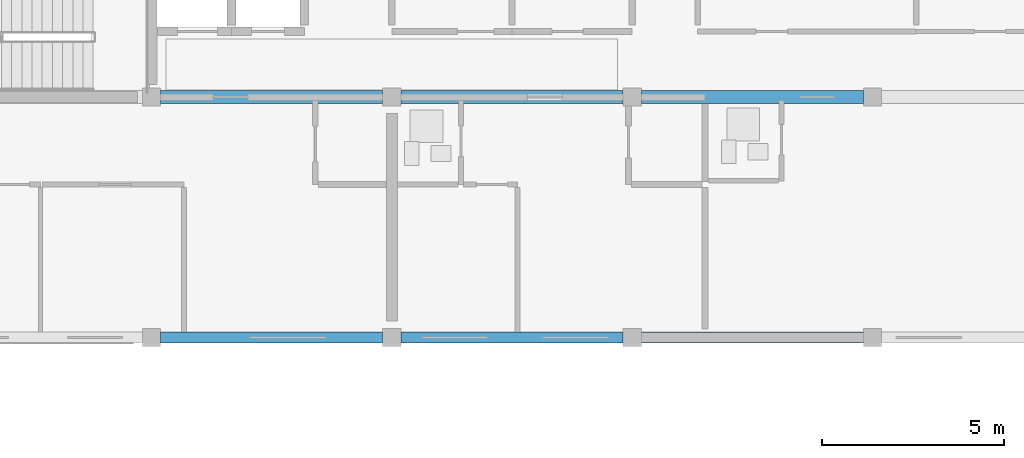
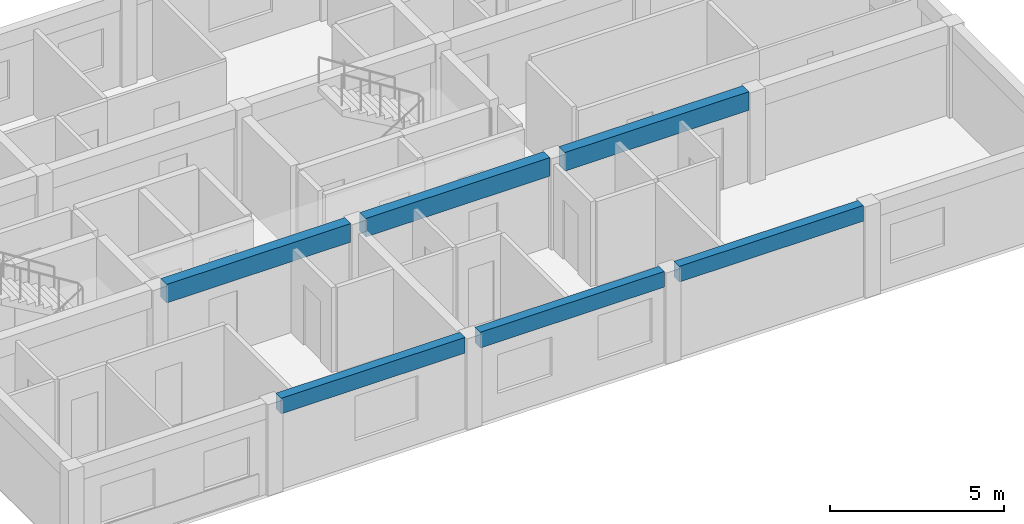
# One storey, part 18 of 46: 6 beams.
"""IFC4 building model written with IfcOpenShell, lengths in metres."""

from ifc_helpers import new_model, si_unit, direction, frame, origin, origin_2d, place, context, subcontext, project, spatial, rectangle, extrude, material, material_profile, profile_set, type_object, element, save


model = new_model("IFC4")

# Units and contexts
model_context = context("Model", 3, precision=1e-05, world=origin(), true_north=direction((0.0, 1.0)))
body_context = subcontext(model_context, "Body", "Model", "MODEL_VIEW")
ifc_project = project(units=[si_unit("LENGTHUNIT", "METRE"), si_unit("AREAUNIT", "SQUARE_METRE"), si_unit("VOLUMEUNIT", "CUBIC_METRE"), si_unit("PLANEANGLEUNIT", "RADIAN"), si_unit("MASSUNIT", "GRAM", prefix="KILO")], contexts=[model_context])

# Site, building, storey
site_placement = place(None, origin())
site = spatial("IfcSite", under=ifc_project, at=site_placement, CompositionType="ELEMENT")
building_placement = place(site_placement, origin())
building = spatial("IfcBuilding", under=site, at=building_placement, Name="Kernevlak Ridge Housing Community", CompositionType="ELEMENT")
storey_placement = place(building_placement, frame((0.0, 0.0, 27.60009765625)))
storey = spatial("IfcBuildingStorey", under=building, at=storey_placement, Name="L08", CompositionType="ELEMENT", Elevation=27.60009765625)

# Beams
ifc_material = material(Name="Concrete C35/45", Category="concrete")
ifc_material_profile_1 = material_profile(ifc_material, rectangle(XDim=0.35009765625, YDim=0.64990234375, at=origin_2d()), Name="RC 350x650")
ifc_profile_set_1 = profile_set([ifc_material_profile_1], Name="Concrete C35/45")
beam_type_1 = type_object("IfcBeamType", Name="B-02", PredefinedType="BEAM", material=ifc_profile_set_1)
beam_1_placement = place(storey_placement, frame((126.25, 89.199951171875, 2.875), z_axis=(1.0, 0.0, 0.0), x_axis=(0.0, 1.0, 0.0)))
element("IfcBeam", 1, at=beam_1_placement, inside=storey, type_object=beam_type_1, Name="Beam B-02 L08 791", PredefinedType="BEAM", context=body_context, shape_type="SweptSolid", body=[
    extrude(rectangle(XDim=0.35009765625, YDim=0.64990234375, at=origin_2d()), origin(), (0.0, 0.0, 1.0), 6.10009765625),
])
beam_2_placement = place(storey_placement, frame((132.85009765625, 89.199951171875, 2.875), z_axis=(1.0, 0.0, 0.0), x_axis=(0.0, 1.0, 0.0)))
element("IfcBeam", 2, at=beam_2_placement, inside=storey, type_object=beam_type_1, Name="Beam B-02 L08 792", PredefinedType="BEAM", context=body_context, shape_type="SweptSolid", body=[
    extrude(rectangle(XDim=0.35009765625, YDim=0.64990234375, at=origin_2d()), origin(), (0.0, 0.0, 1.0), 6.099853515625),
])
beam_3_placement = place(storey_placement, frame((139.449951171875, 89.199951171875, 2.875), z_axis=(1.0, 0.0, 0.0), x_axis=(0.0, 1.0, 0.0)))
element("IfcBeam", 3, at=beam_3_placement, inside=storey, type_object=beam_type_1, Name="Beam B-02 L08 793", PredefinedType="BEAM", context=body_context, shape_type="SweptSolid", body=[
    extrude(rectangle(XDim=0.35009765625, YDim=0.64990234375, at=origin_2d()), origin(), (0.0, 0.0, 1.0), 6.10009765625),
])
ifc_material_profile_2 = material_profile(ifc_material, rectangle(XDim=0.300048828125, YDim=0.550048828125, at=origin_2d()), Name="RC 300x550")
ifc_profile_set_2 = profile_set([ifc_material_profile_2], Name="Concrete C35/45")
beam_type_2 = type_object("IfcBeamType", Name="SP-01", PredefinedType="SPANDREL", material=ifc_profile_set_2)
beam_4_placement = place(storey_placement, frame((126.25, 82.60009765625, 2.9248046875), z_axis=(1.0, 0.0, 0.0), x_axis=(0.0, 1.0, 0.0)))
element("IfcBeam", 4, at=beam_4_placement, inside=storey, type_object=beam_type_2, Name="Beam SP-01 L08 786", PredefinedType="SPANDREL", context=body_context, shape_type="SweptSolid", body=[
    extrude(rectangle(XDim=0.300048828125, YDim=0.550048828125, at=origin_2d()), origin(), (0.0, 0.0, 1.0), 6.10009765625),
])
beam_5_placement = place(storey_placement, frame((132.85009765625, 82.60009765625, 2.9248046875), z_axis=(1.0, 0.0, 0.0), x_axis=(0.0, 1.0, 0.0)))
element("IfcBeam", 5, at=beam_5_placement, inside=storey, type_object=beam_type_2, Name="Beam SP-01 L08 787", PredefinedType="SPANDREL", context=body_context, shape_type="SweptSolid", body=[
    extrude(rectangle(XDim=0.300048828125, YDim=0.550048828125, at=origin_2d()), origin(), (0.0, 0.0, 1.0), 6.099853515625),
])
beam_6_placement = place(storey_placement, frame((139.449951171875, 82.60009765625, 2.9248046875), z_axis=(1.0, 0.0, 0.0), x_axis=(0.0, 1.0, 0.0)))
element("IfcBeam", 6, at=beam_6_placement, inside=storey, type_object=beam_type_2, Name="Beam SP-01 L08 788", PredefinedType="SPANDREL", context=body_context, shape_type="SweptSolid", body=[
    extrude(rectangle(XDim=0.300048828125, YDim=0.550048828125, at=origin_2d()), origin(), (0.0, 0.0, 1.0), 6.10009765625),
])

save(model, "model.ifc")
